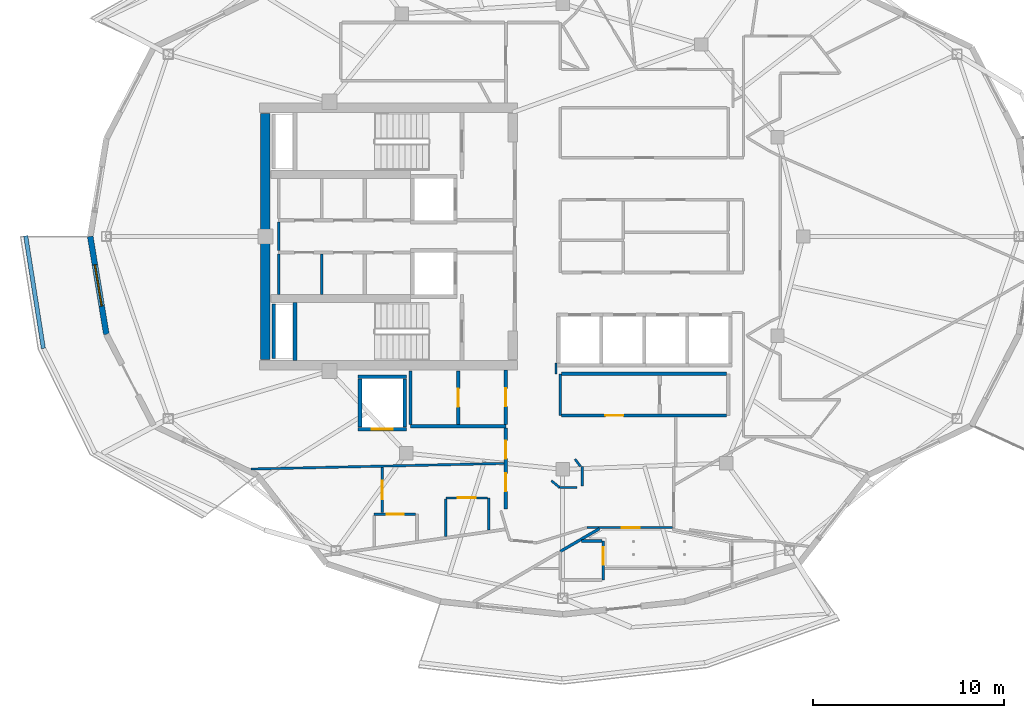
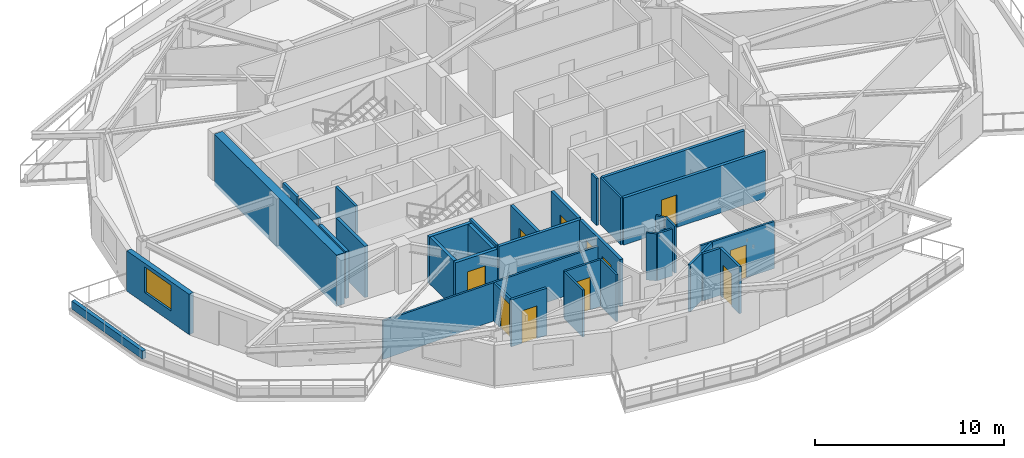
# One storey, part 3 of 18: 35 walls, 11 doors, 1 window, 12 openings.
"""IFC4 building model written with IfcOpenShell, lengths in metres."""

from ifc_helpers import new_model, si_unit, direction, frame, frame_2d, origin, place, context, subcontext, project, spatial, rectangle, extrude, material, layer, layer_set, type_object, element, fill, save


model = new_model("IFC4")

# Units and contexts
model_context = context("Model", 3, precision=1e-05, world=origin(), true_north=direction((0.0, 1.0)))
body_context = subcontext(model_context, "Body", "Model", "MODEL_VIEW")
ifc_project = project(units=[si_unit("LENGTHUNIT", "METRE"), si_unit("AREAUNIT", "SQUARE_METRE"), si_unit("VOLUMEUNIT", "CUBIC_METRE"), si_unit("PLANEANGLEUNIT", "RADIAN"), si_unit("MASSUNIT", "GRAM", prefix="KILO")], contexts=[model_context])

# Site, building, storey
site_placement = place(None, origin())
site = spatial("IfcSite", under=ifc_project, at=site_placement, CompositionType="ELEMENT")
building_placement = place(site_placement, origin())
building = spatial("IfcBuilding", under=site, at=building_placement, Name="Kolvaren Gate Tower and Convention Centre", CompositionType="ELEMENT")
storey_placement = place(building_placement, frame((0.0, 0.0, 229.39990234375)))
storey = spatial("IfcBuildingStorey", under=building, at=storey_placement, Name="L61", CompositionType="ELEMENT", Elevation=229.39990234375)

# Wall
ifc_material_1 = material(Name="Autoclaved Aerated Masonry Blockwork Class 4 (4.0 MPa)", Category="masonry")
ifc_layer_1 = layer(ifc_material_1, 0.179931640625)
ifc_layer_set_1 = layer_set([ifc_layer_1], Name="Autoclaved Aerated Masonry Blockwork Class 4 (4.0 MPa)")
wall_type_1 = type_object("IfcWallType", Name="ARCH-WL-COMP-180", PredefinedType="SOLIDWALL", material=ifc_layer_set_1)
wall_1_placement = place(storey_placement, frame((22.14990234375, 17.050048828125, 0.0), z_axis=(0.0, 0.0, 1.0), x_axis=(1.0, 0.0, 0.0)))
element("IfcWall", 1, at=wall_1_placement, inside=storey, type_object=wall_type_1, Name="Interior Partition WL-L61-INT-011", PredefinedType="SOLIDWALL", context=body_context, shape_type="SweptSolid", body=[
    extrude(rectangle(XDim=5.0, YDim=0.179931640625, at=frame_2d((2.5, 0.0))), origin(), (0.0, 0.0, 1.0), 3.030029296875),
])

# Wall, opening, door
wall_2_placement = place(storey_placement, frame((24.64990234375, 17.14208984375, 0.0), z_axis=(0.0, 0.0, 1.0), x_axis=(0.0, 1.0, 0.0)))
wall_2 = element("IfcWall", 2, at=wall_2_placement, inside=storey, type_object=wall_type_1, Name="Interior Partition WL-L61-INT-013", PredefinedType="SOLIDWALL", context=body_context, shape_type="SweptSolid", body=[
    extrude(rectangle(XDim=2.807861328125, YDim=0.179931640625, at=frame_2d((1.40380859375, 0.0))), origin(), (0.0, 0.0, 1.0), 3.030029296875),
])
opening_1_placement = place(wall_2_placement, frame((0.928955078125, 0.0, 0.0)))
opening_1 = element("IfcOpeningElement", 3, at=opening_1_placement, cuts=wall_2, Name="Opening DR-01", PredefinedType="OPENING", context=body_context, shape_type="SweptSolid", body=[
    extrude(rectangle(XDim=0.949951171875, YDim=2.10009765625, at=frame_2d((0.47509765625, 1.050048828125))), frame((0.0, 0.099853515625, 0.0), z_axis=(0.0, -1.0, 0.0), x_axis=(1.0, 0.0, 0.0)), (0.0, 0.0, 1.0), 0.199951171875),
])
ifc_material_2 = material(Name="Painted Architectural Steelwork ASTM A500 Grade C 345 MPa", Category="steel")
door_type_1 = type_object("IfcDoorType", Name="ARCH-DR-RISER-950", OperationType="SINGLE_SWING_RIGHT", PredefinedType="DOOR", material=ifc_material_2)
door_1_placement = place(opening_1_placement, origin())
door_1 = element("IfcDoor", 4, at=door_1_placement, inside=storey, type_object=door_type_1, Name="West Valet Store Door", OperationType="SINGLE_SWING_LEFT", OverallHeight=2.10009765625, OverallWidth=0.949951171875, PredefinedType="DOOR", context=body_context, shape_type="SweptSolid", body=[
    extrude(rectangle(XDim=0.949951171875, YDim=2.10009765625, at=frame_2d((0.47509765625, 1.050048828125))), frame((0.0, 0.02490234375, 0.0), z_axis=(0.0, -1.0, 0.0), x_axis=(1.0, 0.0, 0.0)), (0.0, 0.0, 1.0), 0.050048828125),
])
fill(opening_1, door_1)

# Wall, openings, doors
wall_3_placement = place(storey_placement, frame((27.14990234375, 12.714111328125, 0.0), z_axis=(0.0, 0.0, 1.0), x_axis=(0.0, 1.0, 0.0)))
wall_3 = element("IfcWall", 5, at=wall_3_placement, inside=storey, type_object=wall_type_1, Name="Interior Partition WL-L61-INT-014", PredefinedType="SOLIDWALL", context=body_context, shape_type="SweptSolid", body=[
    extrude(rectangle(XDim=4.243896484375, YDim=0.179931640625, at=frame_2d((2.1220703125, 0.0))), origin(), (0.0, 0.0, 1.0), 3.030029296875),
])
opening_2_placement = place(wall_3_placement, frame((0.928466796875, 0.0, 0.0)))
opening_2 = element("IfcOpeningElement", 6, at=opening_2_placement, cuts=wall_3, Name="Opening DR-01", PredefinedType="OPENING", context=body_context, shape_type="SweptSolid", body=[
    extrude(rectangle(XDim=0.949951171875, YDim=2.10009765625, at=frame_2d((0.47509765625, 1.050048828125))), frame((0.0, 0.099853515625, 0.0), z_axis=(0.0, -1.0, 0.0), x_axis=(1.0, 0.0, 0.0)), (0.0, 0.0, 1.0), 0.199951171875),
])
opening_3_placement = place(wall_3_placement, frame((2.640380859375, 0.0, 0.0)))
opening_3 = element("IfcOpeningElement", 7, at=opening_3_placement, cuts=wall_3, Name="Opening DR-01", PredefinedType="OPENING", context=body_context, shape_type="SweptSolid", body=[
    extrude(rectangle(XDim=0.949951171875, YDim=2.10009765625, at=frame_2d((0.47509765625, 1.050048828125))), frame((0.0, 0.099853515625, 0.0), z_axis=(0.0, -1.0, 0.0), x_axis=(1.0, 0.0, 0.0)), (0.0, 0.0, 1.0), 0.199951171875),
])
door_2_placement = place(opening_2_placement, origin())
door_2 = element("IfcDoor", 8, at=door_2_placement, inside=storey, type_object=door_type_1, Name="Duplex Loft Living Room (APT-L61-01) Door", OperationType="SINGLE_SWING_RIGHT", OverallHeight=2.10009765625, OverallWidth=0.949951171875, PredefinedType="DOOR", context=body_context, shape_type="SweptSolid", body=[
    extrude(rectangle(XDim=0.949951171875, YDim=2.10009765625, at=frame_2d((0.47509765625, 1.050048828125))), frame((0.0, 0.02490234375, 0.0), z_axis=(0.0, -1.0, 0.0), x_axis=(1.0, 0.0, 0.0)), (0.0, 0.0, 1.0), 0.050048828125),
])
fill(opening_2, door_2)
door_3_placement = place(opening_3_placement, origin())
door_3 = element("IfcDoor", 9, at=door_3_placement, inside=storey, type_object=door_type_1, Name="Resident Private Study and Home Office Door", OperationType="SINGLE_SWING_RIGHT", OverallHeight=2.10009765625, OverallWidth=0.949951171875, PredefinedType="DOOR", context=body_context, shape_type="SweptSolid", body=[
    extrude(rectangle(XDim=0.949951171875, YDim=2.10009765625, at=frame_2d((0.47509765625, 1.050048828125))), frame((0.0, 0.02490234375, 0.0), z_axis=(0.0, -1.0, 0.0), x_axis=(1.0, 0.0, 0.0)), (0.0, 0.0, 1.0), 0.050048828125),
])
fill(opening_3, door_3)

# Wall, opening, door
wall_4_placement = place(storey_placement, frame((27.14990234375, 17.14208984375, 0.0), z_axis=(0.0, 0.0, 1.0), x_axis=(0.0, 1.0, 0.0)))
wall_4 = element("IfcWall", 10, at=wall_4_placement, inside=storey, type_object=wall_type_1, Name="Interior Partition WL-L61-INT-014 (2)", PredefinedType="SOLIDWALL", context=body_context, shape_type="SweptSolid", body=[
    extrude(rectangle(XDim=2.85595703125, YDim=0.179931640625, at=frame_2d((1.427978515625, 0.0))), origin(), (0.0, 0.0, 1.0), 3.030029296875),
])
opening_4_placement = place(wall_4_placement, frame((0.952880859375, 0.0, 0.0)))
opening_4 = element("IfcOpeningElement", 11, at=opening_4_placement, cuts=wall_4, Name="Opening DR-01", PredefinedType="OPENING", context=body_context, shape_type="SweptSolid", body=[
    extrude(rectangle(XDim=0.949951171875, YDim=2.10009765625, at=frame_2d((0.47509765625, 1.050048828125))), frame((0.0, 0.099853515625, 0.0), z_axis=(0.0, -1.0, 0.0), x_axis=(1.0, 0.0, 0.0)), (0.0, 0.0, 1.0), 0.199951171875),
])
door_4_placement = place(opening_4_placement, origin())
door_4 = element("IfcDoor", 12, at=door_4_placement, inside=storey, type_object=door_type_1, Name="Metering Switch Room Door", OperationType="SINGLE_SWING_RIGHT", OverallHeight=2.10009765625, OverallWidth=0.949951171875, PredefinedType="DOOR", context=body_context, shape_type="SweptSolid", body=[
    extrude(rectangle(XDim=0.949951171875, YDim=2.10009765625, at=frame_2d((0.47509765625, 1.050048828125))), frame((0.0, 0.02490234375, 0.0), z_axis=(0.0, -1.0, 0.0), x_axis=(1.0, 0.0, 0.0)), (0.0, 0.0, 1.0), 0.050048828125),
])
fill(opening_4, door_4)

wall_5_placement = place(storey_placement, frame((30.06201171875, 17.6201171875, 0.0), z_axis=(0.0, 0.0, 1.0), x_axis=(1.0, 0.0, 0.0)))
wall_5 = element("IfcWall", 13, at=wall_5_placement, inside=storey, type_object=wall_type_1, Name="Interior Partition WL-L61-INT-031", PredefinedType="SOLIDWALL", context=body_context, shape_type="SweptSolid", body=[
    extrude(rectangle(XDim=8.64599609375, YDim=0.179931640625, at=frame_2d((4.322998046875, 0.0))), origin(), (0.0, 0.0, 1.0), 3.030029296875),
])
opening_5_placement = place(wall_5_placement, frame((2.299072265625, 0.0, 0.0)))
opening_5 = element("IfcOpeningElement", 14, at=opening_5_placement, cuts=wall_5, Name="Opening DR-01", PredefinedType="OPENING", context=body_context, shape_type="SweptSolid", body=[
    extrude(rectangle(XDim=0.949951171875, YDim=2.10009765625, at=frame_2d((0.47509765625, 1.050048828125))), frame((0.0, 0.099853515625, 0.0), z_axis=(0.0, -1.0, 0.0), x_axis=(1.0, 0.0, 0.0)), (0.0, 0.0, 1.0), 0.199951171875),
])
door_5_placement = place(opening_5_placement, origin())
door_5 = element("IfcDoor", 15, at=door_5_placement, inside=storey, type_object=door_type_1, Name="Resident Quiet Library Door", OperationType="SINGLE_SWING_RIGHT", OverallHeight=2.10009765625, OverallWidth=0.949951171875, PredefinedType="DOOR", context=body_context, shape_type="SweptSolid", body=[
    extrude(rectangle(XDim=0.949951171875, YDim=2.10009765625, at=frame_2d((0.47509765625, 1.050048828125))), frame((0.0, 0.02490234375, 0.0), z_axis=(0.0, -1.0, 0.0), x_axis=(1.0, 0.0, 0.0)), (0.0, 0.0, 1.0), 0.050048828125),
])
fill(opening_5, door_5)

# Walls
wall_6_placement = place(storey_placement, frame((30.06201171875, 19.800048828125, 0.0), z_axis=(0.0, 0.0, 1.0), x_axis=(1.0, 0.0, 0.0)))
element("IfcWall", 16, at=wall_6_placement, inside=storey, type_object=wall_type_1, Name="Interior Partition WL-L61-INT-032", PredefinedType="SOLIDWALL", context=body_context, shape_type="SweptSolid", body=[
    extrude(rectangle(XDim=8.64599609375, YDim=0.179931640625, at=frame_2d((4.322998046875, 0.0))), origin(), (0.0, 0.0, 1.0), 3.030029296875),
])
ifc_material_3 = material(Name="Fire-Rated Acoustic Gypsum Stud Partition", Category="gypsum")
ifc_layer_2 = layer(ifc_material_3, 0.1201171875)
ifc_layer_set_2 = layer_set([ifc_layer_2], Name="Fire-Rated Acoustic Gypsum Stud Partition")
wall_type_2 = type_object("IfcWallType", Name="ARCH-WL-PART-120", PredefinedType="PARTITIONING", material=ifc_layer_set_2)
wall_7_placement = place(storey_placement, frame((30.0, 17.6201171875, 0.0), z_axis=(0.0, 0.0, 1.0), x_axis=(0.0, 1.0, 0.0)))
element("IfcWall", 17, at=wall_7_placement, inside=storey, type_object=wall_type_2, Name="Interior Partition WL-L61-INT-018", PredefinedType="PARTITIONING", context=body_context, shape_type="SweptSolid", body=[
    extrude(rectangle(XDim=2.179931640625, YDim=0.1201171875, at=frame_2d((1.08984375, 0.0))), origin(), (0.0, 0.0, 1.0), 3.030029296875),
])
wall_8_placement = place(storey_placement, frame((29.780029296875, 19.800048828125, 0.0), z_axis=(0.0, 0.0, 1.0), x_axis=(0.0, 1.0, 0.0)))
element("IfcWall", 18, at=wall_8_placement, inside=storey, type_object=wall_type_2, Name="Interior Partition WL-L61-INT-065", PredefinedType="PARTITIONING", context=body_context, shape_type="SweptSolid", body=[
    extrude(rectangle(XDim=0.56005859375, YDim=0.1201171875, at=frame_2d((0.280029296875, 0.0))), origin(), (0.0, 0.0, 1.0), 3.030029296875),
])

# Wall, opening, door
wall_9_placement = place(storey_placement, frame((31.39306640625, 11.75, 0.0), z_axis=(0.0, 0.0, 1.0), x_axis=(1.0, 0.0, 0.0)))
wall_9 = element("IfcWall", 19, at=wall_9_placement, inside=storey, type_object=wall_type_2, Name="Interior Partition WL-L61-INT-068", PredefinedType="PARTITIONING", context=body_context, shape_type="SweptSolid", body=[
    extrude(rectangle(XDim=4.494873046875, YDim=0.1201171875, at=frame_2d((2.24755859375, 0.0))), origin(), (0.0, 0.0, 1.0), 3.030029296875),
])
opening_6_placement = place(wall_9_placement, frame((1.829833984375, 0.0, 0.0)))
opening_6 = element("IfcOpeningElement", 20, at=opening_6_placement, cuts=wall_9, Name="Opening DR-01", PredefinedType="OPENING", context=body_context, shape_type="SweptSolid", body=[
    extrude(rectangle(XDim=0.949951171875, YDim=2.10009765625, at=frame_2d((0.47509765625, 1.050048828125))), frame((0.0, 0.070068359375, 0.0), z_axis=(0.0, -1.0, 0.0), x_axis=(1.0, 0.0, 0.0)), (0.0, 0.0, 1.0), 0.14013671875),
])
door_6_placement = place(opening_6_placement, origin())
door_6 = element("IfcDoor", 21, at=door_6_placement, inside=storey, type_object=door_type_1, Name="Duplex Loft Living Room (APT-L61-02) Door", OperationType="SINGLE_SWING_RIGHT", OverallHeight=2.10009765625, OverallWidth=0.949951171875, PredefinedType="DOOR", context=body_context, shape_type="SweptSolid", body=[
    extrude(rectangle(XDim=0.949951171875, YDim=2.10009765625, at=frame_2d((0.47509765625, 1.050048828125))), frame((0.0, 0.02490234375, 0.0), z_axis=(0.0, -1.0, 0.0), x_axis=(1.0, 0.0, 0.0)), (0.0, 0.0, 1.0), 0.050048828125),
])
fill(opening_6, door_6)

# Walls
wall_10_placement = place(storey_placement, frame((29.9599609375, 13.85009765625, 0.0), z_axis=(0.0, 0.0, 1.0), x_axis=(1.0, 0.0, 0.0)))
element("IfcWall", 22, at=wall_10_placement, inside=storey, type_object=wall_type_2, Name="Interior Partition WL-L61-INT-072", PredefinedType="PARTITIONING", context=body_context, shape_type="SweptSolid", body=[
    extrude(rectangle(XDim=0.9140625, YDim=0.1201171875, at=frame_2d((0.45703125, 0.0))), origin(), (0.0, 0.0, 1.0), 3.030029296875),
])
wall_11_placement = place(storey_placement, frame((31.14990234375, 13.93408203125, 0.0), z_axis=(0.0, 0.0, 1.0), x_axis=(0.0, 1.0, 0.0)))
element("IfcWall", 23, at=wall_11_placement, inside=storey, type_object=wall_type_2, Name="Interior Partition WL-L61-INT-073", PredefinedType="PARTITIONING", context=body_context, shape_type="SweptSolid", body=[
    extrude(rectangle(XDim=1.015869140625, YDim=0.1201171875, at=frame_2d((0.5078125, 0.0))), origin(), (0.0, 0.0, 1.0), 3.030029296875),
])
wall_12_placement = place(storey_placement, frame((30.77392578125, 15.3330078125, 0.0), z_axis=(0.0, 0.0, 1.0), x_axis=(0.595814974861, -0.803121731577, 0.0)))
element("IfcWall", 24, at=wall_12_placement, inside=storey, type_object=wall_type_2, Name="Interior Partition WL-L61-INT-074", PredefinedType="PARTITIONING", context=body_context, shape_type="SweptSolid", body=[
    extrude(rectangle(XDim=0.47705078125, YDim=0.1201171875, at=frame_2d((0.238525390625, 0.0))), origin(), (0.0, 0.0, 1.0), 3.030029296875),
])
wall_13_placement = place(storey_placement, frame((29.531005859375, 14.2060546875, 0.0), z_axis=(0.0, 0.0, 1.0), x_axis=(0.7695479554, -0.638589026166, 0.0)))
element("IfcWall", 25, at=wall_13_placement, inside=storey, type_object=wall_type_2, Name="Interior Partition WL-L61-INT-075", PredefinedType="PARTITIONING", context=body_context, shape_type="SweptSolid", body=[
    extrude(rectangle(XDim=0.557373046875, YDim=0.1201171875, at=frame_2d((0.27880859375, 0.0))), origin(), (0.0, 0.0, 1.0), 3.030029296875),
])
wall_14_placement = place(storey_placement, frame((13.800048828125, 14.81396484375, 0.0), z_axis=(0.0, 0.0, 1.0), x_axis=(0.999752677802, 0.022239227231, 0.0)))
element("IfcWall", 26, at=wall_14_placement, inside=storey, type_object=wall_type_2, Name="Interior Partition WL-L61-INT-076", PredefinedType="PARTITIONING", context=body_context, shape_type="SweptSolid", body=[
    extrude(rectangle(XDim=13.26123046875, YDim=0.1201171875, at=frame_2d((6.630615234375, 0.0))), origin(), (0.0, 0.0, 1.0), 2.47802734375),
])
wall_15_placement = place(storey_placement, frame((26.25, 11.60888671875, 0.0), z_axis=(0.0, 0.0, 1.0), x_axis=(0.0, 1.0, 0.0)))
element("IfcWall", 27, at=wall_15_placement, inside=storey, type_object=wall_type_2, Name="Interior Partition WL-L61-INT-078", PredefinedType="PARTITIONING", context=body_context, shape_type="SweptSolid", body=[
    extrude(rectangle(XDim=1.691162109375, YDim=0.1201171875, at=frame_2d((0.845703125, 0.0))), origin(), (0.0, 0.0, 1.0), 3.030029296875),
])

# Wall, opening, door
wall_16_placement = place(storey_placement, frame((24.0, 13.300048828125, 0.0), z_axis=(0.0, 0.0, 1.0), x_axis=(1.0, 0.0, 0.0)))
wall_16 = element("IfcWall", 28, at=wall_16_placement, inside=storey, type_object=wall_type_2, Name="Interior Partition WL-L61-INT-079", PredefinedType="PARTITIONING", context=body_context, shape_type="SweptSolid", body=[
    extrude(rectangle(XDim=2.18798828125, YDim=0.1201171875, at=frame_2d((1.093994140625, 0.0))), origin(), (0.0, 0.0, 1.0), 3.030029296875),
])
opening_7_placement = place(wall_16_placement, frame((0.618896484375, 0.0, 0.0)))
opening_7 = element("IfcOpeningElement", 29, at=opening_7_placement, cuts=wall_16, Name="Opening DI-01", PredefinedType="OPENING", context=body_context, shape_type="SweptSolid", body=[
    extrude(rectangle(XDim=0.949951171875, YDim=2.10009765625, at=frame_2d((0.47509765625, 1.050048828125))), frame((0.0, 0.070068359375, 0.0), z_axis=(0.0, -1.0, 0.0), x_axis=(1.0, 0.0, 0.0)), (0.0, 0.0, 1.0), 0.14013671875),
])
ifc_material_4 = material(Name="FSC Andean Oak Engineered Veneer Door Leaf", Category="wood")
door_type_2 = type_object("IfcDoorType", Name="ARCH-DR-INT-950", OperationType="SINGLE_SWING_LEFT", PredefinedType="DOOR", material=ifc_material_4)
door_7_placement = place(opening_7_placement, origin())
door_7 = element("IfcDoor", 30, at=door_7_placement, inside=storey, type_object=door_type_2, Name="Apartment Fitted Kitchen (APT-L61-01) Door", OperationType="SINGLE_SWING_LEFT", OverallHeight=2.10009765625, OverallWidth=0.949951171875, PredefinedType="DOOR", context=body_context, shape_type="SweptSolid", body=[
    extrude(rectangle(XDim=0.949951171875, YDim=2.10009765625, at=frame_2d((0.47509765625, 1.050048828125))), frame((0.0, 0.02490234375, 0.0), z_axis=(0.0, -1.0, 0.0), x_axis=(1.0, 0.0, 0.0)), (0.0, 0.0, 1.0), 0.050048828125),
])
fill(opening_7, door_7)

# Wall
wall_17_placement = place(storey_placement, frame((24.0, 11.28466796875, 0.0), z_axis=(0.0, 0.0, 1.0), x_axis=(0.0, 1.0, 0.0)))
element("IfcWall", 31, at=wall_17_placement, inside=storey, type_object=wall_type_2, Name="Interior Partition WL-L61-INT-080", PredefinedType="PARTITIONING", context=body_context, shape_type="SweptSolid", body=[
    extrude(rectangle(XDim=1.953369140625, YDim=0.1201171875, at=frame_2d((0.9765625, 0.0))), origin(), (0.0, 0.0, 1.0), 3.030029296875),
])

# Wall, opening, door
wall_18_placement = place(storey_placement, frame((20.679931640625, 12.52587890625, 0.0), z_axis=(0.0, 0.0, 1.0), x_axis=(0.0, 1.0, 0.0)))
wall_18 = element("IfcWall", 32, at=wall_18_placement, inside=storey, type_object=wall_type_2, Name="Interior Partition WL-L61-INT-083", PredefinedType="PARTITIONING", context=body_context, shape_type="SweptSolid", body=[
    extrude(rectangle(XDim=2.379150390625, YDim=0.1201171875, at=frame_2d((1.189453125, 0.0))), origin(), (0.0, 0.0, 1.0), 2.47802734375),
])
opening_8_placement = place(wall_18_placement, frame((0.714599609375, 0.0, 0.0)))
opening_8 = element("IfcOpeningElement", 33, at=opening_8_placement, cuts=wall_18, Name="Opening DI-01", PredefinedType="OPENING", context=body_context, shape_type="SweptSolid", body=[
    extrude(rectangle(XDim=0.949951171875, YDim=2.10009765625, at=frame_2d((0.47509765625, 1.050048828125))), frame((0.0, 0.070068359375, 0.0), z_axis=(0.0, -1.0, 0.0), x_axis=(1.0, 0.0, 0.0)), (0.0, 0.0, 1.0), 0.14013671875),
])
door_8_placement = place(opening_8_placement, origin())
door_8 = element("IfcDoor", 34, at=door_8_placement, inside=storey, type_object=door_type_2, Name="Apartment Bedroom (APT-L61-01) Door", OperationType="SINGLE_SWING_LEFT", OverallHeight=2.10009765625, OverallWidth=0.949951171875, PredefinedType="DOOR", context=body_context, shape_type="SweptSolid", body=[
    extrude(rectangle(XDim=0.949951171875, YDim=2.10009765625, at=frame_2d((0.47509765625, 1.050048828125))), frame((0.0, 0.02490234375, 0.0), z_axis=(0.0, -1.0, 0.0), x_axis=(1.0, 0.0, 0.0)), (0.0, 0.0, 1.0), 0.050048828125),
])
fill(opening_8, door_8)

# Walls
ifc_material_5 = material(Name="Piedmont Cream Honed Limestone Cladding", Category="masonry")
ifc_layer_3 = layer(ifc_material_5, 0.219970703125)
ifc_layer_set_3 = layer_set([ifc_layer_3], Name="Piedmont Cream Honed Limestone Cladding")
wall_type_3 = type_object("IfcWallType", Name="ARCH-WL-PLANTER-220", PredefinedType="PARAPET", material=ifc_layer_set_3)
wall_19_placement = place(storey_placement, frame((1.993408203125, 27.029296875, 0.0), z_axis=(0.0, 0.0, 1.0), x_axis=(0.1550711793, -0.987903299595, 0.0)))
element("IfcWall", 35, at=wall_19_placement, inside=storey, type_object=wall_type_3, Name="Vertical-Forest Balcony Stone Planter Kerb PK-L61-2.1", PredefinedType="PARAPET", context=body_context, shape_type="SweptSolid", body=[
    extrude(rectangle(XDim=5.963623046875, YDim=0.219970703125, at=frame_2d((2.98193359375, 0.0))), origin(), (0.0, 0.0, 1.0), 0.52001953125),
])
ifc_layer_4 = layer(ifc_material_1, 0.199951171875)
ifc_layer_set_4 = layer_set([ifc_layer_4], Name="Autoclaved Aerated Masonry Blockwork Class 4 (4.0 MPa)")
wall_type_4 = type_object("IfcWallType", Name="ARCH-WL-SHAFT-200", PredefinedType="SOLIDWALL", material=ifc_layer_set_4)
wall_20_placement = place(storey_placement, frame((19.39990234375, 19.64990234375, 0.0), z_axis=(0.0, 0.0, 1.0), x_axis=(1.0, 0.0, 0.0)))
element("IfcWall", 36, at=wall_20_placement, inside=storey, type_object=wall_type_4, Name="Elevator SV-01 L61 Fire Shaft Wall N", PredefinedType="SOLIDWALL", context=body_context, shape_type="SweptSolid", body=[
    extrude(rectangle(XDim=2.550048828125, YDim=0.199951171875, at=frame_2d((1.27490234375, 0.0))), origin(), (0.0, 0.0, 1.0), 3.030029296875),
])

# Wall, opening, door
wall_21_placement = place(storey_placement, frame((19.39990234375, 16.89990234375, 0.0), z_axis=(0.0, 0.0, 1.0), x_axis=(1.0, 0.0, 0.0)))
wall_21 = element("IfcWall", 37, at=wall_21_placement, inside=storey, type_object=wall_type_4, Name="Elevator SV-01 L61 Fire Shaft Wall S", PredefinedType="SOLIDWALL", context=body_context, shape_type="SweptSolid", body=[
    extrude(rectangle(XDim=2.550048828125, YDim=0.199951171875, at=frame_2d((1.27490234375, 0.0))), origin(), (0.0, 0.0, 1.0), 3.030029296875),
])
opening_9_placement = place(wall_21_placement, frame((0.72509765625, 0.0, 0.0)))
opening_9 = element("IfcOpeningElement", 38, at=opening_9_placement, cuts=wall_21, Name="Opening LD", PredefinedType="OPENING", context=body_context, shape_type="SweptSolid", body=[
    extrude(rectangle(XDim=1.10009765625, YDim=2.199951171875, at=frame_2d((0.550048828125, 1.10009765625))), frame((0.0, 0.10986328125, 0.0), z_axis=(0.0, -1.0, 0.0), x_axis=(1.0, 0.0, 0.0)), (0.0, 0.0, 1.0), 0.219970703125),
])
ifc_material_6 = material(Name="Brushed Stainless Steel Grade 316L", Category="steel")
door_type_3 = type_object("IfcDoorType", Name="ARCH-DR-LIFT-1100", OperationType="SLIDING_TO_LEFT", PredefinedType="DOOR", material=ifc_material_6)
door_9_placement = place(opening_9_placement, origin())
door_9 = element("IfcDoor", 39, at=door_9_placement, inside=storey, type_object=door_type_3, Name="Elevator SV-01 L61 Sliding Landing Door", OperationType="SLIDING_TO_LEFT", OverallHeight=2.199951171875, OverallWidth=1.10009765625, PredefinedType="DOOR", context=body_context, shape_type="SweptSolid", body=[
    extrude(rectangle(XDim=1.10009765625, YDim=2.199951171875, at=frame_2d((0.550048828125, 1.10009765625))), frame((0.0, 0.02490234375, 0.0), z_axis=(0.0, -1.0, 0.0), x_axis=(1.0, 0.0, 0.0)), (0.0, 0.0, 1.0), 0.050048828125),
])
fill(opening_9, door_9)

# Walls
for number, where, z_axis, x_axis, name in (
    (40, (19.5, 17.010009765625, 0.0), (0.0, 0.0, 1.0), (0.0, 1.0, 0.0), "Elevator SV-01 L61 Fire Shaft Wall W"),
    (41, (21.85009765625, 17.010009765625, 0.0), (0.0, 0.0, 1.0), (0.0, 1.0, 0.0), "Elevator SV-01 L61 Fire Shaft Wall E"),
):
    element("IfcWall", number, at=place(storey_placement, frame(where, z_axis=z_axis, x_axis=x_axis)), inside=storey, type_object=wall_type_4, Name=name, PredefinedType="SOLIDWALL", context=body_context, shape_type="SweptSolid", body=[
        extrude(rectangle(XDim=2.530029296875, YDim=0.199951171875, at=frame_2d((1.26513671875, 0.0))), origin(), (0.0, 0.0, 1.0), 3.030029296875),
    ])
wall_22_placement = place(storey_placement, frame((14.989990234375, 20.60009765625, 0.0), z_axis=(0.0, 0.0, 1.0), x_axis=(0.0, 1.0, 0.0)))
element("IfcWall", 42, at=wall_22_placement, inside=storey, type_object=wall_type_4, Name="Vertical Shaft MPR L61 EI-120 Enclosure Wall W", PredefinedType="SOLIDWALL", context=body_context, shape_type="SweptSolid", body=[
    extrude(rectangle(XDim=2.849853515625, YDim=0.199951171875, at=frame_2d((1.4248046875, 0.0))), origin(), (0.0, 0.0, 1.0), 3.030029296875),
])

# Wall, opening, window
ifc_layer_5 = layer(ifc_material_5, 0.300048828125)
ifc_layer_set_5 = layer_set([ifc_layer_5], Name="Piedmont Cream Honed Limestone Cladding")
wall_type_5 = type_object("IfcWallType", Name="ARCH-WL-STONE-300", PredefinedType="SOLIDWALL", material=ifc_layer_set_5)
wall_23_placement = place(storey_placement, frame((5.375, 27.0, 0.0), z_axis=(0.0, 0.0, 1.0), x_axis=(0.16237087798, -0.986729799886, 0.0)))
wall_23 = element("IfcWall", 43, at=wall_23_placement, inside=storey, type_object=wall_type_5, Name="Tower L61 Honed Stone Spandrel Wall EW-12", PredefinedType="SOLIDWALL", context=body_context, shape_type="SweptSolid", body=[
    extrude(rectangle(XDim=5.193359375, YDim=0.300048828125, at=frame_2d((2.5966796875, 0.0))), origin(), (0.0, 0.0, 1.0), 2.60498046875),
])
opening_10_placement = place(wall_23_placement, frame((1.4970703125, 0.0, 0.719970703125)))
opening_10 = element("IfcOpeningElement", 44, at=opening_10_placement, cuts=wall_23, Name="Opening W-03", PredefinedType="OPENING", context=body_context, shape_type="SweptSolid", body=[
    extrude(rectangle(XDim=2.199951171875, YDim=1.64990234375, at=frame_2d((1.10009765625, 0.824951171875))), frame((0.0, 0.159912109375, 0.0), z_axis=(0.0, -1.0, 0.0), x_axis=(1.0, 0.0, 0.0)), (0.0, 0.0, 1.0), 0.320068359375),
])
ifc_material_7 = material(Name="Low-E Triple Insulated Glazing Unit 44 mm", Category="glass")
window_type = type_object("IfcWindowType", Name="ARCH-WN-RES-2200", PartitioningType="SINGLE_PANEL", PredefinedType="WINDOW", material=ifc_material_7)
window_placement = place(opening_10_placement, origin())
window = element("IfcWindow", 45, at=window_placement, inside=storey, type_object=window_type, Name="Tower L61 Punched Stone Facade Window W-12", OverallHeight=1.64990234375, OverallWidth=2.199951171875, PartitioningType="SINGLE_PANEL", PredefinedType="WINDOW", context=body_context, shape_type="SweptSolid", body=[
    extrude(rectangle(XDim=2.199951171875, YDim=1.64990234375, at=frame_2d((1.10009765625, 0.824951171875))), frame((0.0, 0.030029296875, 0.0), z_axis=(0.0, -1.0, 0.0), x_axis=(1.0, 0.0, 0.0)), (0.0, 0.0, 1.0), 0.06005859375),
])
fill(opening_10, window)

# Walls
ifc_material_8 = material(Name="Moisture-Resistant Cement-Board Acoustic Partition", Category="gypsum")
ifc_layer_6 = layer(ifc_material_8, 0.14990234375)
ifc_layer_set_6 = layer_set([ifc_layer_6], Name="Moisture-Resistant Cement-Board Acoustic Partition")
wall_type_6 = type_object("IfcWallType", Name="ARCH-WL-WET-150", PredefinedType="PARTITIONING", material=ifc_layer_set_6)
wall_24_placement = place(storey_placement, frame((15.25, 23.9619140625, 0.0), z_axis=(0.0, 0.0, 1.0), x_axis=(0.0, 1.0, 0.0)))
element("IfcWall", 46, at=wall_24_placement, inside=storey, type_object=wall_type_6, Name="Interior Partition WL-L61-INT-006", PredefinedType="PARTITIONING", context=body_context, shape_type="SweptSolid", body=[
    extrude(rectangle(XDim=2.106201171875, YDim=0.14990234375, at=frame_2d((1.05322265625, 0.0))), origin(), (0.0, 0.0, 1.0), 3.030029296875),
])
wall_25_placement = place(storey_placement, frame((15.25, 26.251953125, 0.0), z_axis=(0.0, 0.0, 1.0), x_axis=(0.0, 1.0, 0.0)))
element("IfcWall", 47, at=wall_25_placement, inside=storey, type_object=wall_type_6, Name="Interior Partition WL-L61-INT-006 (2)", PredefinedType="PARTITIONING", context=body_context, shape_type="SweptSolid", body=[
    extrude(rectangle(XDim=1.49609375, YDim=0.14990234375, at=frame_2d((0.748046875, 0.0))), origin(), (0.0, 0.0, 1.0), 3.030029296875),
])
wall_26_placement = place(storey_placement, frame((17.5, 23.9619140625, 0.0), z_axis=(0.0, 0.0, 1.0), x_axis=(0.0, 1.0, 0.0)))
element("IfcWall", 48, at=wall_26_placement, inside=storey, type_object=wall_type_6, Name="Interior Partition WL-L61-INT-009", PredefinedType="PARTITIONING", context=body_context, shape_type="SweptSolid", body=[
    extrude(rectangle(XDim=2.106201171875, YDim=0.14990234375, at=frame_2d((1.05322265625, 0.0))), origin(), (0.0, 0.0, 1.0), 3.030029296875),
])
wall_27_placement = place(storey_placement, frame((22.14990234375, 17.14208984375, 0.0), z_axis=(0.0, 0.0, 1.0), x_axis=(0.0, 1.0, 0.0)))
element("IfcWall", 49, at=wall_27_placement, inside=storey, type_object=wall_type_6, Name="Interior Partition WL-L61-INT-012", PredefinedType="PARTITIONING", context=body_context, shape_type="SweptSolid", body=[
    extrude(rectangle(XDim=2.807861328125, YDim=0.14990234375, at=frame_2d((1.40380859375, 0.0))), origin(), (0.0, 0.0, 1.0), 3.030029296875),
])

# Wall, opening, door
wall_28_placement = place(storey_placement, frame((20.25, 12.448974609375, 0.0), z_axis=(0.0, 0.0, 1.0), x_axis=(1.0, 0.0, 0.0)))
wall_28 = element("IfcWall", 50, at=wall_28_placement, inside=storey, type_object=wall_type_6, Name="Interior Partition WL-L61-INT-082", PredefinedType="PARTITIONING", context=body_context, shape_type="SweptSolid", body=[
    extrude(rectangle(XDim=2.173095703125, YDim=0.14990234375, at=frame_2d((1.08642578125, 0.0))), origin(), (0.0, 0.0, 1.0), 3.030029296875),
])
opening_11_placement = place(wall_28_placement, frame((0.646484375, 0.0, 0.0)))
opening_11 = element("IfcOpeningElement", 51, at=opening_11_placement, cuts=wall_28, Name="Opening DW-01", PredefinedType="OPENING", context=body_context, shape_type="SweptSolid", body=[
    extrude(rectangle(XDim=0.89990234375, YDim=2.10009765625, at=frame_2d((0.449951171875, 1.050048828125))), frame((0.0, 0.0849609375, 0.0), z_axis=(0.0, -1.0, 0.0), x_axis=(1.0, 0.0, 0.0)), (0.0, 0.0, 1.0), 0.169921875),
])
door_type_4 = type_object("IfcDoorType", Name="ARCH-DR-WC-900", OperationType="SINGLE_SWING_RIGHT", PredefinedType="DOOR", material=ifc_material_4)
door_10_placement = place(opening_11_placement, origin())
door_10 = element("IfcDoor", 52, at=door_10_placement, inside=storey, type_object=door_type_4, Name="Apartment Bathroom (APT-L61-01) Door", OperationType="SINGLE_SWING_RIGHT", OverallHeight=2.10009765625, OverallWidth=0.89990234375, PredefinedType="DOOR", context=body_context, shape_type="SweptSolid", body=[
    extrude(rectangle(XDim=0.89990234375, YDim=2.10009765625, at=frame_2d((0.449951171875, 1.050048828125))), frame((0.0, 0.02490234375, 0.0), z_axis=(0.0, -1.0, 0.0), x_axis=(1.0, 0.0, 0.0)), (0.0, 0.0, 1.0), 0.050048828125),
])
fill(opening_11, door_10)

# Wall
wall_29_placement = place(storey_placement, frame((30.00048828125, 10.49609375, 0.0), z_axis=(0.0, 0.0, 1.0), x_axis=(0.864297850125, 0.50298034382, 0.0)))
element("IfcWall", 53, at=wall_29_placement, inside=storey, type_object=wall_type_6, Name="Interior Partition WL-L61-INT-085 (2)", PredefinedType="PARTITIONING", context=body_context, shape_type="SweptSolid", body=[
    extrude(rectangle(XDim=2.36962890625, YDim=0.14990234375, at=frame_2d((1.184814453125, 0.0))), origin(), (0.0, 0.0, 1.0), 3.030029296875),
])

# Wall, opening, door
wall_30_placement = place(storey_placement, frame((32.25, 9.0, 0.0), z_axis=(0.0, 0.0, 1.0), x_axis=(0.0, 1.0, 0.0)))
wall_30 = element("IfcWall", 54, at=wall_30_placement, inside=storey, type_object=wall_type_6, Name="Interior Partition WL-L61-INT-088", PredefinedType="PARTITIONING", context=body_context, shape_type="SweptSolid", body=[
    extrude(rectangle(XDim=2.050048828125, YDim=0.14990234375, at=frame_2d((1.02490234375, 0.0))), origin(), (0.0, 0.0, 1.0), 3.030029296875),
])
opening_12_placement = place(wall_30_placement, frame((0.8125, 0.0, 0.0)))
opening_12 = element("IfcOpeningElement", 55, at=opening_12_placement, cuts=wall_30, Name="Opening DW-01", PredefinedType="OPENING", context=body_context, shape_type="SweptSolid", body=[
    extrude(rectangle(XDim=0.89990234375, YDim=2.10009765625, at=frame_2d((0.449951171875, 1.050048828125))), frame((0.0, 0.0849609375, 0.0), z_axis=(0.0, -1.0, 0.0), x_axis=(1.0, 0.0, 0.0)), (0.0, 0.0, 1.0), 0.169921875),
])
door_11_placement = place(opening_12_placement, origin())
door_11 = element("IfcDoor", 56, at=door_11_placement, inside=storey, type_object=door_type_4, Name="Apartment Bathroom (APT-L61-02) Door", OperationType="SINGLE_SWING_LEFT", OverallHeight=2.10009765625, OverallWidth=0.89990234375, PredefinedType="DOOR", context=body_context, shape_type="SweptSolid", body=[
    extrude(rectangle(XDim=0.89990234375, YDim=2.10009765625, at=frame_2d((0.449951171875, 1.050048828125))), frame((0.0, 0.02490234375, 0.0), z_axis=(0.0, -1.0, 0.0), x_axis=(1.0, 0.0, 0.0)), (0.0, 0.0, 1.0), 0.050048828125),
])
fill(opening_12, door_11)

# Walls
wall_31_placement = place(storey_placement, frame((31.10546875, 11.050048828125, 0.0), z_axis=(0.0, 0.0, 1.0), x_axis=(1.0, 0.0, 0.0)))
element("IfcWall", 57, at=wall_31_placement, inside=storey, type_object=wall_type_6, Name="Interior Partition WL-L61-INT-089", PredefinedType="PARTITIONING", context=body_context, shape_type="SweptSolid", body=[
    extrude(rectangle(XDim=1.067626953125, YDim=0.14990234375, at=frame_2d((0.53369140625, 0.0))), origin(), (0.0, 0.0, 1.0), 3.030029296875),
])
ifc_material_9 = material(Name="Concrete C50/60", Category="concrete")
ifc_layer_7 = layer(ifc_material_9, 0.5)
ifc_layer_set_7 = layer_set([ifc_layer_7], Name="Concrete C50/60")
wall_type_7 = type_object("IfcWallType", Name="STR-WL-CORE-500", PredefinedType="SHEAR", material=ifc_layer_set_7)
wall_32_placement = place(storey_placement, frame((14.550048828125, 20.550048828125, -0.27001953125), z_axis=(0.0, 0.0, 1.0), x_axis=(0.0, 1.0, 0.0)))
element("IfcWall", 58, at=wall_32_placement, inside=storey, type_object=wall_type_7, Name="Tower L61 Offset Core Shear Wall W", PredefinedType="SHEAR", context=body_context, shape_type="SweptSolid", body=[
    extrude(rectangle(XDim=12.89990234375, YDim=0.5, at=frame_2d((6.449951171875, 0.0))), origin(), (0.0, 0.0, 1.0), 3.300048828125),
])
ifc_layer_8 = layer(ifc_material_9, 0.199951171875)
ifc_layer_set_8 = layer_set([ifc_layer_8], Name="Concrete C50/60")
wall_type_8 = type_object("IfcWallType", Name="STR-WL-SHAFT-200", PredefinedType="SHEAR", material=ifc_layer_set_8)
wall_33_placement = place(storey_placement, frame((16.10009765625, 20.501953125, -0.27001953125), z_axis=(0.0, 0.0, 1.0), x_axis=(0.0, 1.0, 0.0)))
element("IfcWall", 59, at=wall_33_placement, inside=storey, type_object=wall_type_8, Name="Tower South Exit Stair ST-T2 L61 Structural Shear Enclosure Wall FAR", PredefinedType="SHEAR", context=body_context, shape_type="SweptSolid", body=[
    extrude(rectangle(XDim=3.0361328125, YDim=0.199951171875, at=frame_2d((1.51806640625, 0.0))), origin(), (0.0, 0.0, 1.0), 3.300048828125),
])

save(model, "model.ifc")
